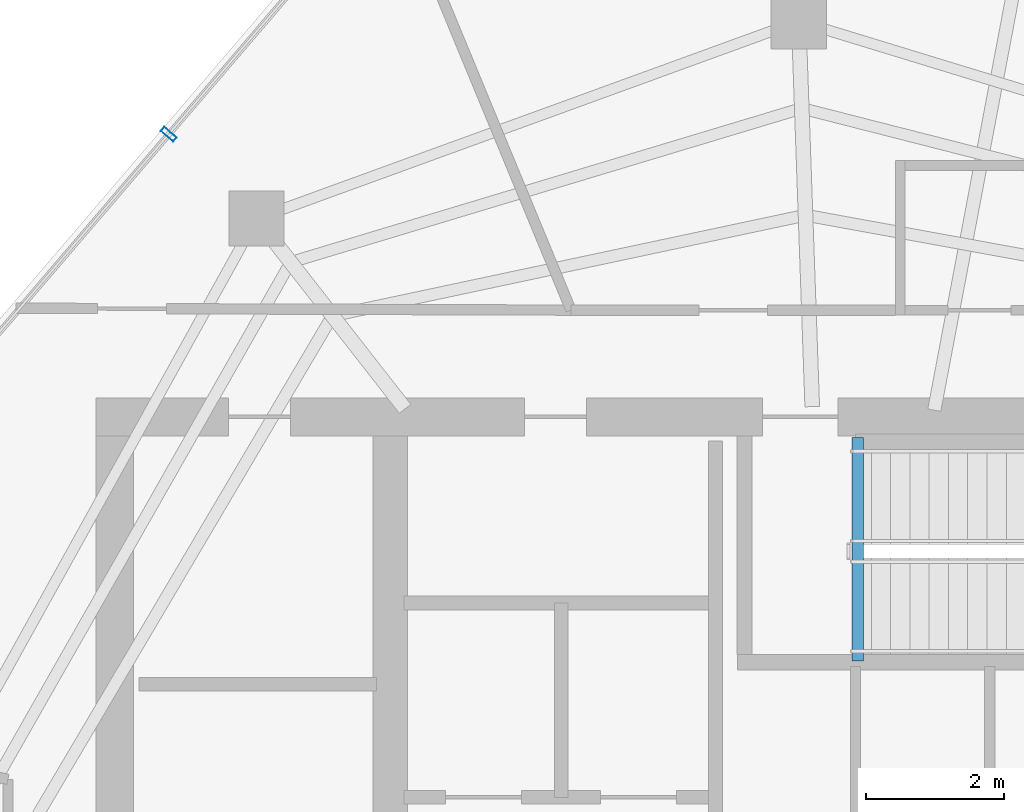
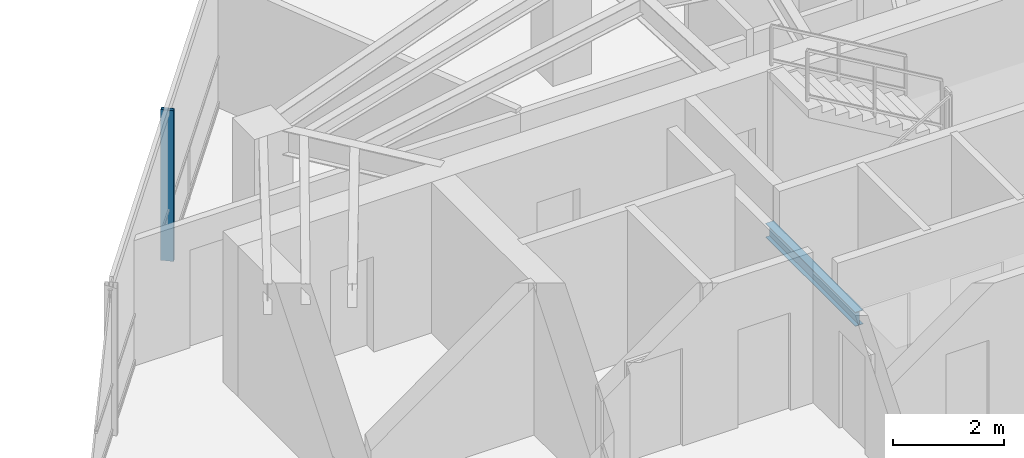
# One storey, part 8 of 18: 1 beam, 1 member, 1 element without a shape of its own.
"""IFC4 building model written with IfcOpenShell, lengths in metres."""

from ifc_helpers import new_model, si_unit, direction, frame, origin, origin_2d, place, context, subcontext, project, spatial, hollow_rectangle, i_section, extrude, material, layer, layer_set, material_profile, profile_set, type_object, element, aggregate, save


model = new_model("IFC4")

# Units and contexts
model_context = context("Model", 3, precision=1e-05, world=origin(), true_north=direction((0.0, 1.0)))
body_context = subcontext(model_context, "Body", "Model", "MODEL_VIEW")
ifc_project = project(units=[si_unit("LENGTHUNIT", "METRE"), si_unit("AREAUNIT", "SQUARE_METRE"), si_unit("VOLUMEUNIT", "CUBIC_METRE"), si_unit("PLANEANGLEUNIT", "RADIAN"), si_unit("MASSUNIT", "GRAM", prefix="KILO")], contexts=[model_context])

# Site, building, storey
site_placement = place(None, origin())
site = spatial("IfcSite", under=ifc_project, at=site_placement, CompositionType="ELEMENT")
building_placement = place(site_placement, origin())
building = spatial("IfcBuilding", under=site, at=building_placement, Name="Qarnah Convention Tower", CompositionType="ELEMENT")
storey_placement = place(building_placement, frame((0.0, 0.0, 253.5)))
storey = spatial("IfcBuildingStorey", under=building, at=storey_placement, Name="L68", CompositionType="ELEMENT", Elevation=253.5)

# Beam
ifc_material_1 = material(Name="Structural steel S355JR", Category="steel")
ifc_material_profile_1 = material_profile(ifc_material_1, i_section(OverallWidth=0.166015625, OverallDepth=0.31201171875, WebThickness=0.007080078125, FlangeThickness=0.010986328125, at=origin_2d()), Name="W310X45")
ifc_profile_set_1 = profile_set([ifc_material_profile_1], Name="Structural steel S355JR")
beam_type = type_object("IfcBeamType", Name="BM-JST-W310", PredefinedType="JOIST", material=ifc_profile_set_1)
beam_placement = place(storey_placement, frame((37.5830078125, 30.659912109375, -0.156005859375), z_axis=(0.0, 1.0, 0.0), x_axis=(-1.0, 0.0, 0.0)))
element("IfcBeam", 1, at=beam_placement, inside=storey, type_object=beam_type, Name="L68 stair landing trimmer beam BM-L68-ST3-TRM", PredefinedType="BEAM", context=body_context, shape_type="SweptSolid", body=[
    extrude(i_section(OverallWidth=0.166015625, OverallDepth=0.31201171875, WebThickness=0.007080078125, FlangeThickness=0.010986328125, at=origin_2d()), origin(), (0.0, 0.0, 1.0), 3.239990234375),
])

# Curtain wall, member
ifc_material_2 = material(Name="Tempered Low-E dark glass", Category="glass")
ifc_layer = layer(ifc_material_2, 0.176025390625)
ifc_layer_set = layer_set([ifc_layer], Name="Tempered Low-E dark glass")
curtain_wall_type = type_object("IfcCurtainWallType", Name="CWS-05", PredefinedType="NOTDEFINED", material=ifc_layer_set)
curtain_wall_placement = place(storey_placement, origin())
curtain_wall = element("IfcCurtainWall", 2, at=curtain_wall_placement, inside=storey, type_object=curtain_wall_type, Name="L68 unitised curtain wall CW-L68-F1", PredefinedType="NOTDEFINED")
ifc_material_3 = material(Name="Black anodised aluminium", Category="aluminium")
ifc_material_profile_2 = material_profile(ifc_material_3, hollow_rectangle(XDim=0.080078125, YDim=0.239990234375, WallThickness=0.0048828125, at=origin_2d()), Name="MUL-80X240")
ifc_profile_set_2 = profile_set([ifc_material_profile_2], Name="Black anodised aluminium")
member_type = type_object("IfcMemberType", Name="MUL-T5", PredefinedType="MULLION", material=ifc_profile_set_2)
member_placement = place(storey_placement, frame((27.58251953125, 38.30224609375, 0.0), z_axis=(0.0, 0.0, 1.0), x_axis=(0.650247859177, 0.759722134491, 0.0)))
member = element("IfcMember", 3, at=member_placement, type_object=member_type, Name="CW-L68-F1 mullion 4", PredefinedType="MULLION", context=body_context, shape_type="SweptSolid", body=[
    extrude(hollow_rectangle(XDim=0.080078125, YDim=0.239990234375, WallThickness=0.0048828125, at=origin_2d()), origin(), (0.0, 0.0, 1.0), 3.320068359375),
])
aggregate(curtain_wall, [member])

save(model, "model.ifc")
